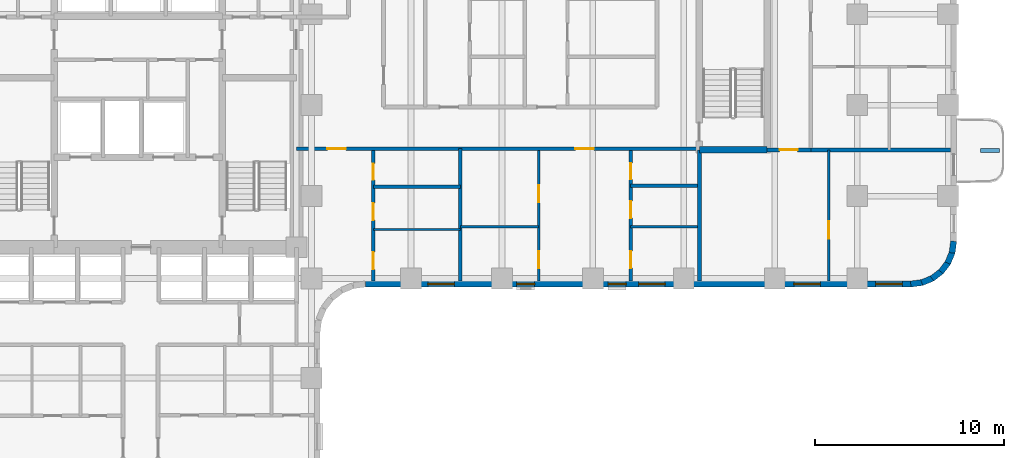
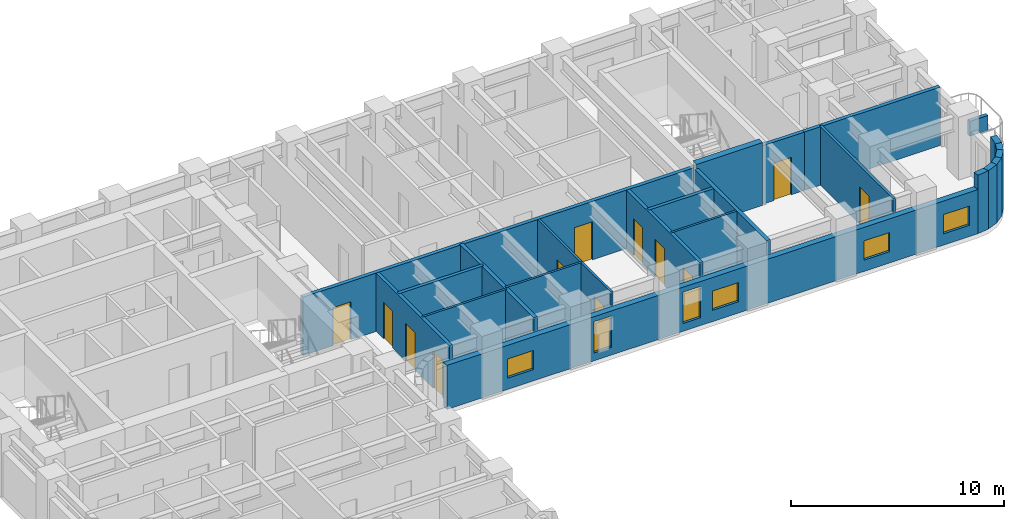
# One storey, part 5 of 10: 23 walls, 12 doors, 6 windows, 18 openings.
"""IFC4 building model written with IfcOpenShell, lengths in metres."""

from ifc_helpers import new_model, si_unit, direction, frame, frame_2d, origin, place, context, subcontext, project, spatial, rectangle, extrude, material, layer, layer_set, type_object, element, fill, save


model = new_model("IFC4")

# Units and contexts
model_context = context("Model", 3, precision=1e-05, world=origin(), true_north=direction((0.0, 1.0)))
body_context = subcontext(model_context, "Body", "Model", "MODEL_VIEW")
ifc_project = project(units=[si_unit("LENGTHUNIT", "METRE"), si_unit("AREAUNIT", "SQUARE_METRE"), si_unit("VOLUMEUNIT", "CUBIC_METRE"), si_unit("PLANEANGLEUNIT", "RADIAN"), si_unit("MASSUNIT", "GRAM", prefix="KILO")], contexts=[model_context])

# Site, building, storey
site_placement = place(None, origin())
site = spatial("IfcSite", under=ifc_project, at=site_placement, CompositionType="ELEMENT")
building_placement = place(site_placement, origin())
building = spatial("IfcBuilding", under=site, at=building_placement, Name="Orvandelia Arch Residences", CompositionType="ELEMENT")
storey_placement = place(building_placement, frame((0.0, 0.0, 32.199951171875)))
storey = spatial("IfcBuildingStorey", under=building, at=storey_placement, Name="L07", CompositionType="ELEMENT", Elevation=32.199951171875)

# Wall
ifc_material_1 = material(Name="Concrete C50/60", Category="concrete")
ifc_layer_1 = layer(ifc_material_1, 0.35009765625, Name="Concrete C50/60", Category="concrete")
ifc_layer_set_1 = layer_set([ifc_layer_1], Name="Concrete C50/60")
wall_type_1 = type_object("IfcWallType", Name="WL-CORE-350", PredefinedType="SHEAR", material=ifc_layer_set_1)
wall_1_placement = place(storey_placement, frame((44.02001953125, 36.0400390625, 0.0), z_axis=(0.0, 0.0, 1.0), x_axis=(1.0, 0.0, 0.0)))
element("IfcWall", 1, at=wall_1_placement, inside=storey, type_object=wall_type_1, Name="East Stair Core Shear Wall L07-S", PredefinedType="SHEAR", context=body_context, shape_type="SweptSolid", body=[
    extrude(rectangle(XDim=3.580078125, YDim=0.35009765625, at=frame_2d((1.7900390625, 0.0))), origin(), (0.0, 0.0, 1.0), 3.60009765625),
])

# Wall, openings, doors
ifc_material_2 = material(Name="Fire-Rated Corridor Partition")
ifc_layer_2 = layer(ifc_material_2, 0.199951171875, Name="Fire-Rated Corridor Partition")
ifc_layer_set_2 = layer_set([ifc_layer_2], Name="Fire-Rated Corridor Partition")
wall_type_2 = type_object("IfcWallType", Name="WL-CORR-200", PredefinedType="PARTITIONING", material=ifc_layer_set_2)
wall_2_placement = place(storey_placement, frame((22.75, 36.10009765625, 0.0), z_axis=(0.0, 0.0, 1.0), x_axis=(1.0, 0.0, 0.0)))
wall_2 = element("IfcWall", 2, at=wall_2_placement, inside=storey, type_object=wall_type_2, Name="Interior Partition Wall WL-L07-EM-S1", PredefinedType="PARTITIONING", context=body_context, shape_type="SweptSolid", body=[
    extrude(rectangle(XDim=21.27001953125, YDim=0.199951171875, at=frame_2d((10.635009765625, 0.0))), origin(), (0.0, 0.0, 1.0), 3.35009765625),
])
opening_1_placement = place(wall_2_placement, frame((1.62841796875, 0.0, 0.0)))
opening_1 = element("IfcOpeningElement", 3, at=opening_1_placement, cuts=wall_2, Name="Opening D1", PredefinedType="OPENING", context=body_context, shape_type="SweptSolid", body=[
    extrude(rectangle(XDim=0.97998046875, YDim=2.179931640625, at=frame_2d((0.489990234375, 1.08984375))), frame((0.0, 0.10986328125, 0.0), z_axis=(0.0, -1.0, 0.0), x_axis=(1.0, 0.0, 0.0)), (0.0, 0.0, 1.0), 0.219970703125),
])
opening_2_placement = place(wall_2_placement, frame((14.724609375, 0.0, 0.0)))
opening_2 = element("IfcOpeningElement", 4, at=opening_2_placement, cuts=wall_2, Name="Opening D1", PredefinedType="OPENING", context=body_context, shape_type="SweptSolid", body=[
    extrude(rectangle(XDim=0.97998046875, YDim=2.179931640625, at=frame_2d((0.489990234375, 1.08984375))), frame((0.0, 0.10986328125, 0.0), z_axis=(0.0, -1.0, 0.0), x_axis=(1.0, 0.0, 0.0)), (0.0, 0.0, 1.0), 0.219970703125),
])
ifc_material_3 = material(Name="Solid-Core Timber Acoustic Fire Door", Category="wood")
door_type_1 = type_object("IfcDoorType", Name="DR-ENT-980", OperationType="NOTDEFINED", PredefinedType="DOOR", material=ifc_material_3)
door_1_placement = place(opening_1_placement, origin())
door_1 = element("IfcDoor", 5, at=door_1_placement, inside=storey, type_object=door_type_1, Name="Unit L07-07 Entrance Door", OperationType="SINGLE_SWING_LEFT", OverallHeight=2.179931640625, OverallWidth=0.97998046875, PredefinedType="DOOR", context=body_context, shape_type="SweptSolid", body=[
    extrude(rectangle(XDim=0.97998046875, YDim=2.179931640625, at=frame_2d((0.489990234375, 1.08984375))), frame((0.0, 0.02490234375, 0.0), z_axis=(0.0, -1.0, 0.0), x_axis=(1.0, 0.0, 0.0)), (0.0, 0.0, 1.0), 0.050048828125),
])
fill(opening_1, door_1)
door_2_placement = place(opening_2_placement, origin())
door_2 = element("IfcDoor", 6, at=door_2_placement, inside=storey, type_object=door_type_1, Name="Unit L07-08 Entrance Door", OperationType="SINGLE_SWING_RIGHT", OverallHeight=2.179931640625, OverallWidth=0.97998046875, PredefinedType="DOOR", context=body_context, shape_type="SweptSolid", body=[
    extrude(rectangle(XDim=0.97998046875, YDim=2.179931640625, at=frame_2d((0.489990234375, 1.08984375))), frame((0.0, 0.02490234375, 0.0), z_axis=(0.0, -1.0, 0.0), x_axis=(1.0, 0.0, 0.0)), (0.0, 0.0, 1.0), 0.050048828125),
])
fill(opening_2, door_2)

# Wall, opening, door
wall_3_placement = place(storey_placement, frame((47.60009765625, 36.0400390625, 0.0), z_axis=(0.0, 0.0, 1.0), x_axis=(1.0, 0.0, 0.0)))
wall_3 = element("IfcWall", 7, at=wall_3_placement, inside=storey, type_object=wall_type_2, Name="Interior Partition Wall WL-L07-ETE-S", PredefinedType="PARTITIONING", context=body_context, shape_type="SweptSolid", body=[
    extrude(rectangle(XDim=2.2998046875, YDim=0.199951171875, at=frame_2d((1.14990234375, 0.0))), origin(), (0.0, 0.0, 1.0), 3.35009765625),
])
opening_3_placement = place(wall_3_placement, frame((0.64990234375, 0.0, 0.0)))
opening_3 = element("IfcOpeningElement", 8, at=opening_3_placement, cuts=wall_3, Name="Opening D2", PredefinedType="OPENING", context=body_context, shape_type="SweptSolid", body=[
    extrude(rectangle(XDim=0.949951171875, YDim=2.14990234375, at=frame_2d((0.47509765625, 1.074951171875))), frame((0.0, 0.10986328125, 0.0), z_axis=(0.0, -1.0, 0.0), x_axis=(1.0, 0.0, 0.0)), (0.0, 0.0, 1.0), 0.219970703125),
])
ifc_material_4 = material(Name="Solid-Core Timber Interior Fire Door", Category="wood")
door_type_2 = type_object("IfcDoorType", Name="DR-APT-950", OperationType="NOTDEFINED", PredefinedType="DOOR", material=ifc_material_4)
door_3_placement = place(opening_3_placement, origin())
door_3 = element("IfcDoor", 9, at=door_3_placement, inside=storey, type_object=door_type_2, Name="DR-L07-EMS3", OperationType="SINGLE_SWING_LEFT", OverallHeight=2.14990234375, OverallWidth=0.949951171875, PredefinedType="DOOR", context=body_context, shape_type="SweptSolid", body=[
    extrude(rectangle(XDim=0.949951171875, YDim=2.14990234375, at=frame_2d((0.47509765625, 1.074951171875))), frame((0.0, 0.02490234375, 0.0), z_axis=(0.0, -1.0, 0.0), x_axis=(1.0, 0.0, 0.0)), (0.0, 0.0, 1.0), 0.050048828125),
])
fill(opening_3, door_3)

# Walls
ifc_material_5 = material(Name="Concrete C40/50", Category="concrete")
ifc_layer_3 = layer(ifc_material_5, 0.199951171875, Name="Concrete C40/50", Category="concrete")
ifc_layer_set_3 = layer_set([ifc_layer_3], Name="Concrete C40/50")
wall_type_3 = type_object("IfcWallType", Name="WL-DEM-200", PredefinedType="SOLIDWALL", material=ifc_layer_set_3)
wall_4_placement = place(storey_placement, frame((31.39990234375, 29.1201171875, 0.0), z_axis=(0.0, 0.0, 1.0), x_axis=(0.0, 1.0, 0.0)))
element("IfcWall", 10, at=wall_4_placement, inside=storey, type_object=wall_type_3, Name="Interior Partition Wall WL-L07-DEM-EMS-314", PredefinedType="SOLIDWALL", context=body_context, shape_type="SweptSolid", body=[
    extrude(rectangle(XDim=6.97998046875, YDim=0.199951171875, at=frame_2d((3.489990234375, 0.0))), origin(), (0.0, 0.0, 1.0), 3.35009765625),
])
wall_5_placement = place(storey_placement, frame((44.02001953125, 29.1201171875, 0.0), z_axis=(0.0, 0.0, 1.0), x_axis=(0.0, 1.0, 0.0)))
element("IfcWall", 11, at=wall_5_placement, inside=storey, type_object=wall_type_3, Name="Interior Partition Wall WL-L07-EMS3-W", PredefinedType="SOLIDWALL", context=body_context, shape_type="SweptSolid", body=[
    extrude(rectangle(XDim=6.919921875, YDim=0.199951171875, at=frame_2d((3.4599609375, 0.0))), origin(), (0.0, 0.0, 1.0), 3.35009765625),
])
wall_6_placement = place(storey_placement, frame((49.89990234375, 36.0400390625, 0.0), z_axis=(0.0, 0.0, 1.0), x_axis=(1.0, 0.0, 0.0)))
element("IfcWall", 12, at=wall_6_placement, inside=storey, type_object=wall_type_3, Name="Interior Partition Wall WL-L07-EMS3-N2", PredefinedType="SOLIDWALL", context=body_context, shape_type="SweptSolid", body=[
    extrude(rectangle(XDim=7.380126953125, YDim=0.199951171875, at=frame_2d((3.68994140625, 0.0))), origin(), (0.0, 0.0, 1.0), 3.35009765625),
])
ifc_material_6 = material(Name="Precast concrete C40/50", Category="concrete")
ifc_layer_4 = layer(ifc_material_6, 0.320068359375, Name="Precast concrete C40/50", Category="concrete")
ifc_layer_set_4 = layer_set([ifc_layer_4], Name="Precast concrete C40/50")
wall_type_4 = type_object("IfcWallType", Name="WL-EXT-STONE-320", PredefinedType="STANDARD", material=ifc_layer_set_4)
wall_7_placement = place(storey_placement, frame((57.44140625, 31.220947265625, 0.0), z_axis=(0.0, 0.0, 1.0), x_axis=(-0.130504898859, -0.991447664465, 0.0)))
element("IfcWall", 13, at=wall_7_placement, inside=storey, type_object=wall_type_4, Name="Coral-Limestone Precast Facade Wall L07-015", PredefinedType="STANDARD", context=body_context, shape_type="SweptSolid", body=[
    extrude(rectangle(XDim=0.626708984375, YDim=0.320068359375, at=frame_2d((0.3134765625, 0.0))), origin(), (0.0, 0.0, 1.0), 3.35009765625),
])
wall_8_placement = place(storey_placement, frame((57.370361328125, 30.639892578125, 0.0), z_axis=(0.0, 0.0, 1.0), x_axis=(-0.382787856107, -0.923836271867, 0.0)))
element("IfcWall", 14, at=wall_8_placement, inside=storey, type_object=wall_type_4, Name="Coral-Limestone Precast Facade Wall L07-016", PredefinedType="STANDARD", context=body_context, shape_type="SweptSolid", body=[
    extrude(rectangle(XDim=0.626220703125, YDim=0.320068359375, at=frame_2d((0.31298828125, 0.0))), origin(), (0.0, 0.0, 1.0), 3.35009765625),
])
wall_9_placement = place(storey_placement, frame((57.151611328125, 30.097412109375, 0.0), z_axis=(0.0, 0.0, 1.0), x_axis=(-0.608693302629, -0.793405610854, 0.0)))
element("IfcWall", 15, at=wall_9_placement, inside=storey, type_object=wall_type_4, Name="Coral-Limestone Precast Facade Wall L07-017", PredefinedType="STANDARD", context=body_context, shape_type="SweptSolid", body=[
    extrude(rectangle(XDim=0.62646484375, YDim=0.320068359375, at=frame_2d((0.313232421875, 0.0))), origin(), (0.0, 0.0, 1.0), 3.35009765625),
])
wall_10_placement = place(storey_placement, frame((56.7998046875, 29.6298828125, 0.0), z_axis=(0.0, 0.0, 1.0), x_axis=(-0.793361818833, -0.608750379399, 0.0)))
element("IfcWall", 16, at=wall_10_placement, inside=storey, type_object=wall_type_4, Name="Coral-Limestone Precast Facade Wall L07-018", PredefinedType="STANDARD", context=body_context, shape_type="SweptSolid", body=[
    extrude(rectangle(XDim=0.626953125, YDim=0.320068359375, at=frame_2d((0.3134765625, 0.0))), origin(), (0.0, 0.0, 1.0), 3.35009765625),
])
for number, where, z_axis, x_axis, name in (
    (17, (56.3388671875, 29.269287109375, 0.0), (0.0, 0.0, 1.0), (-0.92389335771, -0.382650053678, 0.0), "Coral-Limestone Precast Facade Wall L07-019"),
    (18, (55.80029296875, 29.040283203125, 0.0), (0.0, 0.0, 1.0), (-0.9914410257, -0.130555323746, 0.0), "Coral-Limestone Precast Facade Wall L07-020"),
):
    element("IfcWall", number, at=place(storey_placement, frame(where, z_axis=z_axis, x_axis=x_axis)), inside=storey, type_object=wall_type_4, Name=name, PredefinedType="STANDARD", context=body_context, shape_type="SweptSolid", body=[
        extrude(rectangle(XDim=0.62646484375, YDim=0.320068359375, at=frame_2d((0.313232421875, 0.0))), origin(), (0.0, 0.0, 1.0), 3.35009765625),
    ])

# Wall, openings, windows
wall_11_placement = place(storey_placement, frame((55.199951171875, 28.9599609375, 0.0), z_axis=(0.0, 0.0, 1.0), x_axis=(-1.0, 0.0, 0.0)))
wall_11 = element("IfcWall", 19, at=wall_11_placement, inside=storey, type_object=wall_type_4, Name="Coral-Limestone Precast Facade Wall L07-021", PredefinedType="STANDARD", context=body_context, shape_type="SweptSolid", body=[
    extrude(rectangle(XDim=28.800048828125, YDim=0.320068359375, at=frame_2d((14.39990234375, 0.0))), origin(), (0.0, 0.0, 1.0), 2.530029296875),
])
opening_4_placement = place(wall_11_placement, frame((24.114990234375, 0.0, 0.64990234375)))
opening_4 = element("IfcOpeningElement", 20, at=opening_4_placement, cuts=wall_11, Name="Opening W10", PredefinedType="OPENING", context=body_context, shape_type="SweptSolid", body=[
    extrude(rectangle(XDim=1.39990234375, YDim=1.10009765625, at=frame_2d((0.699951171875, 0.550048828125))), frame((0.0, 0.169921875, 0.0), z_axis=(0.0, -1.0, 0.0), x_axis=(1.0, 0.0, 0.0)), (0.0, 0.0, 1.0), 0.340087890625),
])
opening_5_placement = place(wall_11_placement, frame((12.990966796875, 0.0, 0.64990234375)))
opening_5 = element("IfcOpeningElement", 21, at=opening_5_placement, cuts=wall_11, Name="Opening W10", PredefinedType="OPENING", context=body_context, shape_type="SweptSolid", body=[
    extrude(rectangle(XDim=1.39990234375, YDim=1.10009765625, at=frame_2d((0.699951171875, 0.550048828125))), frame((0.0, 0.169921875, 0.0), z_axis=(0.0, -1.0, 0.0), x_axis=(1.0, 0.0, 0.0)), (0.0, 0.0, 1.0), 0.340087890625),
])
opening_6_placement = place(wall_11_placement, frame((19.869384765625, 0.0, 0.449951171875)))
opening_6 = element("IfcOpeningElement", 22, at=opening_6_placement, cuts=wall_11, Name="Opening W4", PredefinedType="OPENING", context=body_context, shape_type="SweptSolid", body=[
    extrude(rectangle(XDim=0.949951171875, YDim=1.800048828125, at=frame_2d((0.47509765625, 0.89990234375))), frame((0.0, 0.169921875, 0.0), z_axis=(0.0, -1.0, 0.0), x_axis=(1.0, 0.0, 0.0)), (0.0, 0.0, 1.0), 0.340087890625),
])
opening_7_placement = place(wall_11_placement, frame((4.7900390625, 0.0, 0.64990234375)))
opening_7 = element("IfcOpeningElement", 23, at=opening_7_placement, cuts=wall_11, Name="Opening W10", PredefinedType="OPENING", context=body_context, shape_type="SweptSolid", body=[
    extrude(rectangle(XDim=1.39990234375, YDim=1.10009765625, at=frame_2d((0.699951171875, 0.550048828125))), frame((0.0, 0.169921875, 0.0), z_axis=(0.0, -1.0, 0.0), x_axis=(1.0, 0.0, 0.0)), (0.0, 0.0, 1.0), 0.340087890625),
])
opening_8_placement = place(wall_11_placement, frame((0.469970703125, 0.0, 0.64990234375)))
opening_8 = element("IfcOpeningElement", 24, at=opening_8_placement, cuts=wall_11, Name="Opening W10", PredefinedType="OPENING", context=body_context, shape_type="SweptSolid", body=[
    extrude(rectangle(XDim=1.39990234375, YDim=1.10009765625, at=frame_2d((0.699951171875, 0.550048828125))), frame((0.0, 0.169921875, 0.0), z_axis=(0.0, -1.0, 0.0), x_axis=(1.0, 0.0, 0.0)), (0.0, 0.0, 1.0), 0.340087890625),
])
opening_9_placement = place(wall_11_placement, frame((15.0458984375, 0.0, 0.449951171875)))
opening_9 = element("IfcOpeningElement", 25, at=opening_9_placement, cuts=wall_11, Name="Opening W4", PredefinedType="OPENING", context=body_context, shape_type="SweptSolid", body=[
    extrude(rectangle(XDim=0.949951171875, YDim=1.800048828125, at=frame_2d((0.47509765625, 0.89990234375))), frame((0.0, 0.169921875, 0.0), z_axis=(0.0, -1.0, 0.0), x_axis=(1.0, 0.0, 0.0)), (0.0, 0.0, 1.0), 0.340087890625),
])
ifc_material_7 = material(Name="Tempered Low-E Insulated Glazing", Category="glass")
window_type_1 = type_object("IfcWindowType", Name="WIN-CLR-1400x1100", PartitioningType="SINGLE_PANEL", PredefinedType="WINDOW", material=ifc_material_7)
window_1_placement = place(opening_4_placement, origin())
window_1 = element("IfcWindow", 26, at=window_1_placement, inside=storey, type_object=window_type_1, Name="Recessed Punched Window L07-016", OverallHeight=1.10009765625, OverallWidth=1.39990234375, PartitioningType="SINGLE_PANEL", PredefinedType="WINDOW", context=body_context, shape_type="SweptSolid", body=[
    extrude(rectangle(XDim=1.39990234375, YDim=1.10009765625, at=frame_2d((0.699951171875, 0.550048828125))), frame((0.0, 0.030029296875, 0.0), z_axis=(0.0, -1.0, 0.0), x_axis=(1.0, 0.0, 0.0)), (0.0, 0.0, 1.0), 0.06005859375),
])
fill(opening_4, window_1)
window_2_placement = place(opening_5_placement, origin())
window_2 = element("IfcWindow", 27, at=window_2_placement, inside=storey, type_object=window_type_1, Name="Recessed Punched Window L07-017", OverallHeight=1.10009765625, OverallWidth=1.39990234375, PartitioningType="SINGLE_PANEL", PredefinedType="WINDOW", context=body_context, shape_type="SweptSolid", body=[
    extrude(rectangle(XDim=1.39990234375, YDim=1.10009765625, at=frame_2d((0.699951171875, 0.550048828125))), frame((0.0, 0.030029296875, 0.0), z_axis=(0.0, -1.0, 0.0), x_axis=(1.0, 0.0, 0.0)), (0.0, 0.0, 1.0), 0.06005859375),
])
fill(opening_5, window_2)
window_3_placement = place(opening_7_placement, origin())
window_3 = element("IfcWindow", 28, at=window_3_placement, inside=storey, type_object=window_type_1, Name="Recessed Punched Window L07-019", OverallHeight=1.10009765625, OverallWidth=1.39990234375, PartitioningType="SINGLE_PANEL", PredefinedType="WINDOW", context=body_context, shape_type="SweptSolid", body=[
    extrude(rectangle(XDim=1.39990234375, YDim=1.10009765625, at=frame_2d((0.699951171875, 0.550048828125))), frame((0.0, 0.030029296875, 0.0), z_axis=(0.0, -1.0, 0.0), x_axis=(1.0, 0.0, 0.0)), (0.0, 0.0, 1.0), 0.06005859375),
])
fill(opening_7, window_3)
window_4_placement = place(opening_8_placement, origin())
window_4 = element("IfcWindow", 29, at=window_4_placement, inside=storey, type_object=window_type_1, Name="Recessed Punched Window L07-020", OverallHeight=1.10009765625, OverallWidth=1.39990234375, PartitioningType="SINGLE_PANEL", PredefinedType="WINDOW", context=body_context, shape_type="SweptSolid", body=[
    extrude(rectangle(XDim=1.39990234375, YDim=1.10009765625, at=frame_2d((0.699951171875, 0.550048828125))), frame((0.0, 0.030029296875, 0.0), z_axis=(0.0, -1.0, 0.0), x_axis=(1.0, 0.0, 0.0)), (0.0, 0.0, 1.0), 0.06005859375),
])
fill(opening_8, window_4)
window_type_2 = type_object("IfcWindowType", Name="WIN-RES-0950x1800", PartitioningType="SINGLE_PANEL", PredefinedType="WINDOW", material=ifc_material_7)
window_5_placement = place(opening_6_placement, origin())
window_5 = element("IfcWindow", 30, at=window_5_placement, inside=storey, type_object=window_type_2, Name="Recessed Punched Window L07-018", OverallHeight=1.800048828125, OverallWidth=0.949951171875, PartitioningType="SINGLE_PANEL", PredefinedType="WINDOW", context=body_context, shape_type="SweptSolid", body=[
    extrude(rectangle(XDim=0.949951171875, YDim=1.800048828125, at=frame_2d((0.47509765625, 0.89990234375))), frame((0.0, 0.030029296875, 0.0), z_axis=(0.0, -1.0, 0.0), x_axis=(1.0, 0.0, 0.0)), (0.0, 0.0, 1.0), 0.06005859375),
])
fill(opening_6, window_5)
window_6_placement = place(opening_9_placement, origin())
window_6 = element("IfcWindow", 31, at=window_6_placement, inside=storey, type_object=window_type_2, Name="Recessed Punched Window L07-021", OverallHeight=1.800048828125, OverallWidth=0.949951171875, PartitioningType="SINGLE_PANEL", PredefinedType="WINDOW", context=body_context, shape_type="SweptSolid", body=[
    extrude(rectangle(XDim=0.949951171875, YDim=1.800048828125, at=frame_2d((0.47509765625, 0.89990234375))), frame((0.0, 0.030029296875, 0.0), z_axis=(0.0, -1.0, 0.0), x_axis=(1.0, 0.0, 0.0)), (0.0, 0.0, 1.0), 0.06005859375),
])
fill(opening_9, window_6)

# Wall
ifc_material_8 = material(Name="Lightweight Gypsum Stud Partition")
ifc_layer_5 = layer(ifc_material_8, 0.1201171875, Name="Lightweight Gypsum Stud Partition")
ifc_layer_set_5 = layer_set([ifc_layer_5], Name="Lightweight Gypsum Stud Partition")
wall_type_5 = type_object("IfcWallType", Name="WL-PART-120", PredefinedType="PARTITIONING", material=ifc_layer_set_5)
wall_12_placement = place(storey_placement, frame((26.806884765625, 31.8359375, 0.0), z_axis=(0.0, 0.0, 1.0), x_axis=(1.0, 0.0, 0.0)))
element("IfcWall", 32, at=wall_12_placement, inside=storey, type_object=wall_type_5, Name="Interior Partition Wall WL-L07-U07-H1", PredefinedType="PARTITIONING", context=body_context, shape_type="SweptSolid", body=[
    extrude(rectangle(XDim=4.593017578125, YDim=0.1201171875, at=frame_2d((2.29638671875, 0.0))), origin(), (0.0, 0.0, 1.0), 3.35009765625),
])

# Wall, openings, doors
wall_13_placement = place(storey_placement, frame((35.541015625, 29.1201171875, 0.0), z_axis=(0.0, 0.0, 1.0), x_axis=(0.0, 1.0, 0.0)))
wall_13 = element("IfcWall", 33, at=wall_13_placement, inside=storey, type_object=wall_type_5, Name="Interior Partition Wall WL-L07-U08-VB", PredefinedType="PARTITIONING", context=body_context, shape_type="SweptSolid", body=[
    extrude(rectangle(XDim=6.8798828125, YDim=0.1201171875, at=frame_2d((3.43994140625, 0.0))), origin(), (0.0, 0.0, 1.0), 3.35009765625),
])
opening_10_placement = place(wall_13_placement, frame((0.67919921875, 0.0, 0.0)))
opening_10 = element("IfcOpeningElement", 34, at=opening_10_placement, cuts=wall_13, Name="Opening D3", PredefinedType="OPENING", context=body_context, shape_type="SweptSolid", body=[
    extrude(rectangle(XDim=0.89990234375, YDim=2.14990234375, at=frame_2d((0.449951171875, 1.074951171875))), frame((0.0, 0.070068359375, 0.0), z_axis=(0.0, -1.0, 0.0), x_axis=(1.0, 0.0, 0.0)), (0.0, 0.0, 1.0), 0.14013671875),
])
opening_11_placement = place(wall_13_placement, frame((4.148681640625, 0.0, 0.0)))
opening_11 = element("IfcOpeningElement", 35, at=opening_11_placement, cuts=wall_13, Name="Opening D3", PredefinedType="OPENING", context=body_context, shape_type="SweptSolid", body=[
    extrude(rectangle(XDim=0.89990234375, YDim=2.14990234375, at=frame_2d((0.449951171875, 1.074951171875))), frame((0.0, 0.070068359375, 0.0), z_axis=(0.0, -1.0, 0.0), x_axis=(1.0, 0.0, 0.0)), (0.0, 0.0, 1.0), 0.14013671875),
])
ifc_material_9 = material(Name="Engineered Timber Flush Door", Category="wood")
door_type_3 = type_object("IfcDoorType", Name="DR-INT-900", OperationType="NOTDEFINED", PredefinedType="DOOR", material=ifc_material_9)
door_4_placement = place(opening_10_placement, origin())
door_4 = element("IfcDoor", 36, at=door_4_placement, inside=storey, type_object=door_type_3, Name="DR-L07-U08-BD2", OperationType="SINGLE_SWING_LEFT", OverallHeight=2.14990234375, OverallWidth=0.89990234375, PredefinedType="DOOR", context=body_context, shape_type="SweptSolid", body=[
    extrude(rectangle(XDim=0.89990234375, YDim=2.14990234375, at=frame_2d((0.449951171875, 1.074951171875))), frame((0.0, 0.02490234375, 0.0), z_axis=(0.0, -1.0, 0.0), x_axis=(1.0, 0.0, 0.0)), (0.0, 0.0, 1.0), 0.050048828125),
])
fill(opening_10, door_4)
door_5_placement = place(opening_11_placement, origin())
door_5 = element("IfcDoor", 37, at=door_5_placement, inside=storey, type_object=door_type_3, Name="DR-L07-U08-STDY", OperationType="SINGLE_SWING_RIGHT", OverallHeight=2.14990234375, OverallWidth=0.89990234375, PredefinedType="DOOR", context=body_context, shape_type="SweptSolid", body=[
    extrude(rectangle(XDim=0.89990234375, YDim=2.14990234375, at=frame_2d((0.449951171875, 1.074951171875))), frame((0.0, 0.02490234375, 0.0), z_axis=(0.0, -1.0, 0.0), x_axis=(1.0, 0.0, 0.0)), (0.0, 0.0, 1.0), 0.050048828125),
])
fill(opening_11, door_5)

# Walls
wall_14_placement = place(storey_placement, frame((31.39990234375, 31.97509765625, 0.0), z_axis=(0.0, 0.0, 1.0), x_axis=(1.0, 0.0, 0.0)))
element("IfcWall", 38, at=wall_14_placement, inside=storey, type_object=wall_type_5, Name="Interior Partition Wall WL-L07-U08-HB", PredefinedType="PARTITIONING", context=body_context, shape_type="SweptSolid", body=[
    extrude(rectangle(XDim=4.14111328125, YDim=0.1201171875, at=frame_2d((2.070556640625, 0.0))), origin(), (0.0, 0.0, 1.0), 3.35009765625),
])
wall_15_placement = place(storey_placement, frame((40.387939453125, 31.97509765625, 0.0), z_axis=(0.0, 0.0, 1.0), x_axis=(1.0, 0.0, 0.0)))
element("IfcWall", 39, at=wall_15_placement, inside=storey, type_object=wall_type_5, Name="Interior Partition Wall WL-L07-U08-H1", PredefinedType="PARTITIONING", context=body_context, shape_type="SweptSolid", body=[
    extrude(rectangle(XDim=3.531982421875, YDim=0.1201171875, at=frame_2d((1.76611328125, 0.0))), origin(), (0.0, 0.0, 1.0), 3.35009765625),
])

# Wall, opening, door
ifc_material_10 = material(Name="Acoustic Gypsum Stud Partition")
ifc_layer_6 = layer(ifc_material_10, 0.14990234375, Name="Acoustic Gypsum Stud Partition")
ifc_layer_set_6 = layer_set([ifc_layer_6], Name="Acoustic Gypsum Stud Partition")
wall_type_6 = type_object("IfcWallType", Name="WL-PART-150", PredefinedType="PARTITIONING", material=ifc_layer_set_6)
wall_16_placement = place(storey_placement, frame((50.85009765625, 29.1201171875, 0.0), z_axis=(0.0, 0.0, 1.0), x_axis=(0.0, 1.0, 0.0)))
wall_16 = element("IfcWall", 40, at=wall_16_placement, inside=storey, type_object=wall_type_6, Name="Interior Partition Wall WL-L07-EMS3-M", PredefinedType="PARTITIONING", context=body_context, shape_type="SweptSolid", body=[
    extrude(rectangle(XDim=6.919921875, YDim=0.14990234375, at=frame_2d((3.4599609375, 0.0))), origin(), (0.0, 0.0, 1.0), 3.35009765625),
])
opening_12_placement = place(wall_16_placement, frame((2.239990234375, 0.0, 0.0)))
opening_12 = element("IfcOpeningElement", 41, at=opening_12_placement, cuts=wall_16, Name="Opening D3", PredefinedType="OPENING", context=body_context, shape_type="SweptSolid", body=[
    extrude(rectangle(XDim=0.89990234375, YDim=2.14990234375, at=frame_2d((0.449951171875, 1.074951171875))), frame((0.0, 0.0849609375, 0.0), z_axis=(0.0, -1.0, 0.0), x_axis=(1.0, 0.0, 0.0)), (0.0, 0.0, 1.0), 0.169921875),
])
door_6_placement = place(opening_12_placement, origin())
door_6 = element("IfcDoor", 42, at=door_6_placement, inside=storey, type_object=door_type_3, Name="DR-L07-EMS3M", OperationType="SINGLE_SWING_RIGHT", OverallHeight=2.14990234375, OverallWidth=0.89990234375, PredefinedType="DOOR", context=body_context, shape_type="SweptSolid", body=[
    extrude(rectangle(XDim=0.89990234375, YDim=2.14990234375, at=frame_2d((0.449951171875, 1.074951171875))), frame((0.0, 0.02490234375, 0.0), z_axis=(0.0, -1.0, 0.0), x_axis=(1.0, 0.0, 0.0)), (0.0, 0.0, 1.0), 0.050048828125),
])
fill(opening_12, door_6)

# Wall
ifc_layer_7 = layer(ifc_material_6, 0.199951171875, Name="Precast concrete C40/50", Category="concrete")
ifc_layer_set_7 = layer_set([ifc_layer_7], Name="Precast concrete C40/50")
wall_type_7 = type_object("IfcWallType", Name="WL-PLANTER-200", PredefinedType="MOVABLE", material=ifc_layer_set_7)
wall_17_placement = place(storey_placement, frame((58.85009765625, 36.0, 0.0), z_axis=(0.0, 0.0, 1.0), x_axis=(1.0, 0.0, 0.0)))
element("IfcWall", 43, at=wall_17_placement, inside=storey, type_object=wall_type_7, Name="Balcony Precast Tree Planter BAL-L07-E1", PredefinedType="MOVABLE", context=body_context, shape_type="SweptSolid", body=[
    extrude(rectangle(XDim=1.0, YDim=0.199951171875, at=frame_2d((0.5, 0.0))), origin(), (0.0, 0.0, 1.0), 0.85009765625),
])

# Wall, openings, doors
ifc_material_11 = material(Name="Moisture-Resistant Plumbing Wall")
ifc_layer_8 = layer(ifc_material_11, 0.179931640625, Name="Moisture-Resistant Plumbing Wall")
ifc_layer_set_8 = layer_set([ifc_layer_8], Name="Moisture-Resistant Plumbing Wall")
wall_type_8 = type_object("IfcWallType", Name="WL-WET-180", PredefinedType="PLUMBINGWALL", material=ifc_layer_set_8)
wall_18_placement = place(storey_placement, frame((26.806884765625, 29.1201171875, 0.0), z_axis=(0.0, 0.0, 1.0), x_axis=(0.0, 1.0, 0.0)))
wall_18 = element("IfcWall", 44, at=wall_18_placement, inside=storey, type_object=wall_type_8, Name="Interior Partition Wall WL-L07-U07-VT", PredefinedType="PLUMBINGWALL", context=body_context, shape_type="SweptSolid", body=[
    extrude(rectangle(XDim=6.8798828125, YDim=0.179931640625, at=frame_2d((3.43994140625, 0.0))), origin(), (0.0, 0.0, 1.0), 3.35009765625),
])
opening_13_placement = place(wall_18_placement, frame((0.61669921875, 0.0, 0.0)))
opening_13 = element("IfcOpeningElement", 45, at=opening_13_placement, cuts=wall_18, Name="Opening D3", PredefinedType="OPENING", context=body_context, shape_type="SweptSolid", body=[
    extrude(rectangle(XDim=0.89990234375, YDim=2.14990234375, at=frame_2d((0.449951171875, 1.074951171875))), frame((0.0, 0.10009765625, 0.0), z_axis=(0.0, -1.0, 0.0), x_axis=(1.0, 0.0, 0.0)), (0.0, 0.0, 1.0), 0.199951171875),
])
opening_14_placement = place(wall_18_placement, frame((3.21044921875, 0.0, 0.0)))
opening_14 = element("IfcOpeningElement", 46, at=opening_14_placement, cuts=wall_18, Name="Opening D3", PredefinedType="OPENING", context=body_context, shape_type="SweptSolid", body=[
    extrude(rectangle(XDim=0.89990234375, YDim=2.14990234375, at=frame_2d((0.449951171875, 1.074951171875))), frame((0.0, 0.10009765625, 0.0), z_axis=(0.0, -1.0, 0.0), x_axis=(1.0, 0.0, 0.0)), (0.0, 0.0, 1.0), 0.199951171875),
])
opening_15_placement = place(wall_18_placement, frame((5.331787109375, 0.0, 0.0)))
opening_15 = element("IfcOpeningElement", 47, at=opening_15_placement, cuts=wall_18, Name="Opening D4", PredefinedType="OPENING", context=body_context, shape_type="SweptSolid", body=[
    extrude(rectangle(XDim=0.860107421875, YDim=2.10009765625, at=frame_2d((0.43017578125, 1.050048828125))), frame((0.0, 0.10009765625, 0.0), z_axis=(0.0, -1.0, 0.0), x_axis=(1.0, 0.0, 0.0)), (0.0, 0.0, 1.0), 0.199951171875),
])
door_7_placement = place(opening_13_placement, origin())
door_7 = element("IfcDoor", 48, at=door_7_placement, inside=storey, type_object=door_type_3, Name="DR-L07-U07-BD1", OperationType="SINGLE_SWING_LEFT", OverallHeight=2.14990234375, OverallWidth=0.89990234375, PredefinedType="DOOR", context=body_context, shape_type="SweptSolid", body=[
    extrude(rectangle(XDim=0.89990234375, YDim=2.14990234375, at=frame_2d((0.449951171875, 1.074951171875))), frame((0.0, 0.02490234375, 0.0), z_axis=(0.0, -1.0, 0.0), x_axis=(1.0, 0.0, 0.0)), (0.0, 0.0, 1.0), 0.050048828125),
])
fill(opening_13, door_7)
door_8_placement = place(opening_14_placement, origin())
door_8 = element("IfcDoor", 49, at=door_8_placement, inside=storey, type_object=door_type_3, Name="DR-L07-U07-KIT", OperationType="SINGLE_SWING_RIGHT", OverallHeight=2.14990234375, OverallWidth=0.89990234375, PredefinedType="DOOR", context=body_context, shape_type="SweptSolid", body=[
    extrude(rectangle(XDim=0.89990234375, YDim=2.14990234375, at=frame_2d((0.449951171875, 1.074951171875))), frame((0.0, 0.02490234375, 0.0), z_axis=(0.0, -1.0, 0.0), x_axis=(1.0, 0.0, 0.0)), (0.0, 0.0, 1.0), 0.050048828125),
])
fill(opening_14, door_8)
ifc_material_12 = material(Name="Moisture-Sealed Timber Bathroom Door", Category="wood")
door_type_4 = type_object("IfcDoorType", Name="DR-WET-900", OperationType="NOTDEFINED", PredefinedType="DOOR", material=ifc_material_12)
door_9_placement = place(opening_15_placement, origin())
door_9 = element("IfcDoor", 50, at=door_9_placement, inside=storey, type_object=door_type_4, Name="DR-L07-U07-BTH", OperationType="SINGLE_SWING_LEFT", OverallHeight=2.10009765625, OverallWidth=0.860107421875, PredefinedType="DOOR", context=body_context, shape_type="SweptSolid", body=[
    extrude(rectangle(XDim=0.860107421875, YDim=2.10009765625, at=frame_2d((0.43017578125, 1.050048828125))), frame((0.0, 0.02490234375, 0.0), z_axis=(0.0, -1.0, 0.0), x_axis=(1.0, 0.0, 0.0)), (0.0, 0.0, 1.0), 0.050048828125),
])
fill(opening_15, door_9)

# Wall
wall_19_placement = place(storey_placement, frame((26.806884765625, 34.0849609375, 0.0), z_axis=(0.0, 0.0, 1.0), x_axis=(1.0, 0.0, 0.0)))
element("IfcWall", 51, at=wall_19_placement, inside=storey, type_object=wall_type_8, Name="Interior Partition Wall WL-L07-U07-H2", PredefinedType="PLUMBINGWALL", context=body_context, shape_type="SweptSolid", body=[
    extrude(rectangle(XDim=4.593017578125, YDim=0.179931640625, at=frame_2d((2.29638671875, 0.0))), origin(), (0.0, 0.0, 1.0), 3.35009765625),
])

# Wall, openings, doors
wall_20_placement = place(storey_placement, frame((40.387939453125, 29.1201171875, 0.0), z_axis=(0.0, 0.0, 1.0), x_axis=(0.0, 1.0, 0.0)))
wall_20 = element("IfcWall", 52, at=wall_20_placement, inside=storey, type_object=wall_type_8, Name="Interior Partition Wall WL-L07-U08-VT", PredefinedType="PLUMBINGWALL", context=body_context, shape_type="SweptSolid", body=[
    extrude(rectangle(XDim=6.8798828125, YDim=0.179931640625, at=frame_2d((3.43994140625, 0.0))), origin(), (0.0, 0.0, 1.0), 3.35009765625),
])
opening_16_placement = place(wall_20_placement, frame((0.67919921875, 0.0, 0.0)))
opening_16 = element("IfcOpeningElement", 53, at=opening_16_placement, cuts=wall_20, Name="Opening D3", PredefinedType="OPENING", context=body_context, shape_type="SweptSolid", body=[
    extrude(rectangle(XDim=0.89990234375, YDim=2.14990234375, at=frame_2d((0.449951171875, 1.074951171875))), frame((0.0, 0.10009765625, 0.0), z_axis=(0.0, -1.0, 0.0), x_axis=(1.0, 0.0, 0.0)), (0.0, 0.0, 1.0), 0.199951171875),
])
opening_17_placement = place(wall_20_placement, frame((3.3154296875, 0.0, 0.0)))
opening_17 = element("IfcOpeningElement", 54, at=opening_17_placement, cuts=wall_20, Name="Opening D3", PredefinedType="OPENING", context=body_context, shape_type="SweptSolid", body=[
    extrude(rectangle(XDim=0.89990234375, YDim=2.14990234375, at=frame_2d((0.449951171875, 1.074951171875))), frame((0.0, 0.10009765625, 0.0), z_axis=(0.0, -1.0, 0.0), x_axis=(1.0, 0.0, 0.0)), (0.0, 0.0, 1.0), 0.199951171875),
])
opening_18_placement = place(wall_20_placement, frame((5.366455078125, 0.0, 0.0)))
opening_18 = element("IfcOpeningElement", 55, at=opening_18_placement, cuts=wall_20, Name="Opening D4", PredefinedType="OPENING", context=body_context, shape_type="SweptSolid", body=[
    extrude(rectangle(XDim=0.860107421875, YDim=2.10009765625, at=frame_2d((0.43017578125, 1.050048828125))), frame((0.0, 0.10009765625, 0.0), z_axis=(0.0, -1.0, 0.0), x_axis=(1.0, 0.0, 0.0)), (0.0, 0.0, 1.0), 0.199951171875),
])
door_10_placement = place(opening_16_placement, origin())
door_10 = element("IfcDoor", 56, at=door_10_placement, inside=storey, type_object=door_type_3, Name="DR-L07-U08-BD1", OperationType="SINGLE_SWING_RIGHT", OverallHeight=2.14990234375, OverallWidth=0.89990234375, PredefinedType="DOOR", context=body_context, shape_type="SweptSolid", body=[
    extrude(rectangle(XDim=0.89990234375, YDim=2.14990234375, at=frame_2d((0.449951171875, 1.074951171875))), frame((0.0, 0.02490234375, 0.0), z_axis=(0.0, -1.0, 0.0), x_axis=(1.0, 0.0, 0.0)), (0.0, 0.0, 1.0), 0.050048828125),
])
fill(opening_16, door_10)
door_11_placement = place(opening_17_placement, origin())
door_11 = element("IfcDoor", 57, at=door_11_placement, inside=storey, type_object=door_type_3, Name="DR-L07-U08-KIT", OperationType="SINGLE_SWING_LEFT", OverallHeight=2.14990234375, OverallWidth=0.89990234375, PredefinedType="DOOR", context=body_context, shape_type="SweptSolid", body=[
    extrude(rectangle(XDim=0.89990234375, YDim=2.14990234375, at=frame_2d((0.449951171875, 1.074951171875))), frame((0.0, 0.02490234375, 0.0), z_axis=(0.0, -1.0, 0.0), x_axis=(1.0, 0.0, 0.0)), (0.0, 0.0, 1.0), 0.050048828125),
])
fill(opening_17, door_11)
door_12_placement = place(opening_18_placement, origin())
door_12 = element("IfcDoor", 58, at=door_12_placement, inside=storey, type_object=door_type_4, Name="DR-L07-U08-BTH", OperationType="SINGLE_SWING_RIGHT", OverallHeight=2.10009765625, OverallWidth=0.860107421875, PredefinedType="DOOR", context=body_context, shape_type="SweptSolid", body=[
    extrude(rectangle(XDim=0.860107421875, YDim=2.10009765625, at=frame_2d((0.43017578125, 1.050048828125))), frame((0.0, 0.02490234375, 0.0), z_axis=(0.0, -1.0, 0.0), x_axis=(1.0, 0.0, 0.0)), (0.0, 0.0, 1.0), 0.050048828125),
])
fill(opening_18, door_12)

# Wall
wall_21_placement = place(storey_placement, frame((40.387939453125, 34.14794921875, 0.0), z_axis=(0.0, 0.0, 1.0), x_axis=(1.0, 0.0, 0.0)))
element("IfcWall", 59, at=wall_21_placement, inside=storey, type_object=wall_type_8, Name="Interior Partition Wall WL-L07-U08-H2", PredefinedType="PLUMBINGWALL", context=body_context, shape_type="SweptSolid", body=[
    extrude(rectangle(XDim=3.531982421875, YDim=0.179931640625, at=frame_2d((1.76611328125, 0.0))), origin(), (0.0, 0.0, 1.0), 3.35009765625),
])

save(model, "model.ifc")
